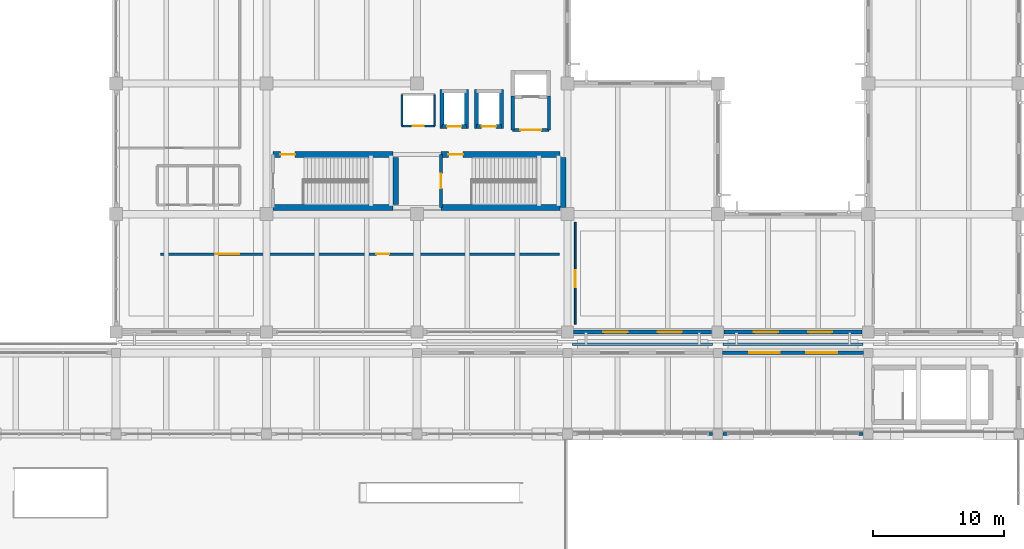
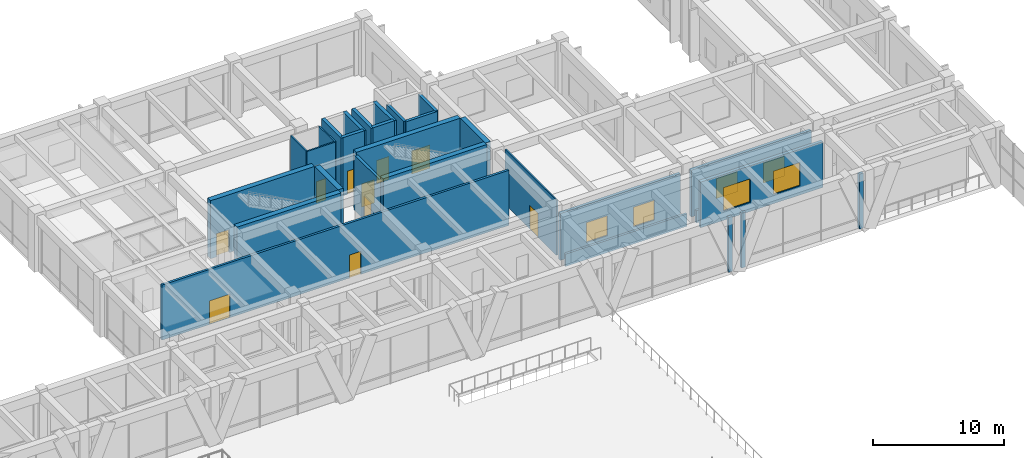
# One storey, part 132 of 148: 29 walls, 10 doors, 6 windows, 16 openings.
"""IFC4 building model written with IfcOpenShell, lengths in metres."""

from ifc_helpers import new_model, si_unit, direction, frame, frame_2d, origin, place, context, subcontext, project, spatial, rectangle, extrude, material, layer, layer_set, type_object, element, fill, save


model = new_model("IFC4")

# Units and contexts
model_context = context("Model", 3, precision=1e-05, world=origin(), true_north=direction((0.0, 1.0)))
body_context = subcontext(model_context, "Body", "Model", "MODEL_VIEW")
ifc_project = project(units=[si_unit("LENGTHUNIT", "METRE"), si_unit("AREAUNIT", "SQUARE_METRE"), si_unit("VOLUMEUNIT", "CUBIC_METRE"), si_unit("PLANEANGLEUNIT", "RADIAN"), si_unit("MASSUNIT", "GRAM", prefix="KILO")], contexts=[model_context])

# Site, building, storey
site_placement = place(None, origin())
site = spatial("IfcSite", under=ifc_project, at=site_placement, CompositionType="ELEMENT")
building_placement = place(site_placement, origin())
building = spatial("IfcBuilding", under=site, at=building_placement, Name="Ologun Quay Terminus", CompositionType="ELEMENT")
storey_placement = place(building_placement, frame((0.0, 0.0, 8.39990234375)))
storey = spatial("IfcBuildingStorey", under=building, at=storey_placement, Name="L02", CompositionType="ELEMENT", Elevation=8.39990234375)

# Wall, opening, door
ifc_material_1 = material(Name="Glass", Category="glass")
ifc_layer_1 = layer(ifc_material_1, 0.125)
ifc_layer_set_1 = layer_set([ifc_layer_1], Name="Glass")
wall_type_1 = type_object("IfcWallType", Name="Control Room Observation Glazed Partition 125", PredefinedType="MOVABLE", material=ifc_layer_set_1)
wall_1_placement = place(storey_placement, frame((150.10009765625, 86.39990234375, 0.0), z_axis=(0.0, 0.0, 1.0), x_axis=(0.0, 1.0, 0.0)))
wall_1 = element("IfcWall", 1, at=wall_1_placement, inside=storey, type_object=wall_type_1, Name="PW-12 Partition L02-SCADA-W", PredefinedType="MOVABLE", context=body_context, shape_type="SweptSolid", body=[
    extrude(rectangle(XDim=7.800048828125, YDim=0.125, at=frame_2d((3.89990234375, 0.0))), origin(), (0.0, 0.0, 1.0), 5.1201171875),
])
opening_1_placement = place(wall_1_placement, frame((2.800048828125, 0.0, 0.0)))
opening_1 = element("IfcOpeningElement", 2, at=opening_1_placement, cuts=wall_1, Name="Opening ID-321", PredefinedType="OPENING", context=body_context, shape_type="SweptSolid", body=[
    extrude(rectangle(XDim=1.300048828125, YDim=2.199951171875, at=frame_2d((0.64990234375, 1.10009765625))), frame((0.0, 0.072509765625, 0.0), z_axis=(0.0, -1.0, 0.0), x_axis=(1.0, 0.0, 0.0)), (0.0, 0.0, 1.0), 0.14501953125),
])
ifc_material_2 = material(Name="Steel S355", Category="steel")
door_type_1 = type_object("IfcDoorType", Name="Traffic Control Security Door 1300x2200", OperationType="SINGLE_SWING_LEFT", PredefinedType="DOOR", material=ifc_material_2)
door_1_placement = place(opening_1_placement, origin())
door_1 = element("IfcDoor", 3, at=door_1_placement, inside=storey, type_object=door_type_1, Name="ID-09 Door ID-321", OperationType="SINGLE_SWING_LEFT", OverallHeight=2.199951171875, OverallWidth=1.300048828125, PredefinedType="DOOR", context=body_context, shape_type="SweptSolid", body=[
    extrude(rectangle(XDim=1.300048828125, YDim=2.199951171875, at=frame_2d((0.64990234375, 1.10009765625))), frame((0.0, 0.02490234375, 0.0), z_axis=(0.0, -1.0, 0.0), x_axis=(1.0, 0.0, 0.0)), (0.0, 0.0, 1.0), 0.050048828125),
])
fill(opening_1, door_1)

# Wall, openings, doors
ifc_material_3 = material(Name="Concrete C40/50", Category="concrete")
ifc_layer_2 = layer(ifc_material_3, 0.199951171875)
ifc_layer_set_2 = layer_set([ifc_layer_2], Name="Concrete C40/50")
wall_type_2 = type_object("IfcWallType", Name="Corridor Fire-Rated Partition 200", PredefinedType="PARTITIONING", material=ifc_layer_set_2)
wall_2_placement = place(storey_placement, frame((118.39990234375, 91.75, 0.0), z_axis=(0.0, 0.0, 1.0), x_axis=(1.0, 0.0, 0.0)))
wall_2 = element("IfcWall", 4, at=wall_2_placement, inside=storey, type_object=wall_type_2, Name="PW-02 Partition ECor-S", PredefinedType="PARTITIONING", context=body_context, shape_type="SweptSolid", body=[
    extrude(rectangle(XDim=30.5, YDim=0.199951171875, at=frame_2d((15.25, 0.0))), origin(), (0.0, 0.0, 1.0), 5.1201171875),
])
opening_2_placement = place(wall_2_placement, frame((4.199951171875, 0.0, 0.0)))
opening_2 = element("IfcOpeningElement", 5, at=opening_2_placement, cuts=wall_2, Name="Opening ID-196", PredefinedType="OPENING", context=body_context, shape_type="SweptSolid", body=[
    extrude(rectangle(XDim=1.800048828125, YDim=2.199951171875, at=frame_2d((0.89990234375, 1.10009765625))), frame((0.0, 0.10986328125, 0.0), z_axis=(0.0, -1.0, 0.0), x_axis=(1.0, 0.0, 0.0)), (0.0, 0.0, 1.0), 0.219970703125),
])
opening_3_placement = place(wall_2_placement, frame((16.5, 0.0, 0.0)))
opening_3 = element("IfcOpeningElement", 6, at=opening_3_placement, cuts=wall_2, Name="Opening ID-197", PredefinedType="OPENING", context=body_context, shape_type="SweptSolid", body=[
    extrude(rectangle(XDim=0.97998046875, YDim=2.14990234375, at=frame_2d((0.489990234375, 1.074951171875))), frame((0.0, 0.10986328125, 0.0), z_axis=(0.0, -1.0, 0.0), x_axis=(1.0, 0.0, 0.0)), (0.0, 0.0, 1.0), 0.219970703125),
])
ifc_material_4 = material(Name="Steel S355", Category="steel")
door_type_2 = type_object("IfcDoorType", Name="Corridor Compartment Pair 1800x2200", OperationType="DOUBLE_DOOR_SINGLE_SWING", PredefinedType="DOOR", material=ifc_material_4)
door_2_placement = place(opening_2_placement, origin())
door_2 = element("IfcDoor", 7, at=door_2_placement, inside=storey, type_object=door_type_2, Name="FD-03 Door ID-196", OperationType="DOUBLE_DOOR_SINGLE_SWING", OverallHeight=2.199951171875, OverallWidth=1.800048828125, PredefinedType="DOOR", context=body_context, shape_type="SweptSolid", body=[
    extrude(rectangle(XDim=1.800048828125, YDim=2.199951171875, at=frame_2d((0.89990234375, 1.10009765625))), frame((0.0, 0.02490234375, 0.0), z_axis=(0.0, -1.0, 0.0), x_axis=(1.0, 0.0, 0.0)), (0.0, 0.0, 1.0), 0.050048828125),
])
fill(opening_2, door_2)
ifc_material_5 = material(Name="Timber Hardwood", Category="wood")
door_type_3 = type_object("IfcDoorType", Name="Operations Room Acoustic Leaf 980x2150", OperationType="SINGLE_SWING_LEFT", PredefinedType="DOOR", material=ifc_material_5)
door_3_placement = place(opening_3_placement, origin())
door_3 = element("IfcDoor", 8, at=door_3_placement, inside=storey, type_object=door_type_3, Name="ID-01 Door ID-197", OperationType="SINGLE_SWING_LEFT", OverallHeight=2.14990234375, OverallWidth=0.97998046875, PredefinedType="DOOR", context=body_context, shape_type="SweptSolid", body=[
    extrude(rectangle(XDim=0.97998046875, YDim=2.14990234375, at=frame_2d((0.489990234375, 1.074951171875))), frame((0.0, 0.02490234375, 0.0), z_axis=(0.0, -1.0, 0.0), x_axis=(1.0, 0.0, 0.0)), (0.0, 0.0, 1.0), 0.050048828125),
])
fill(opening_3, door_3)

# Wall
ifc_material_6 = material(Name="Concrete C45/55", Category="concrete")
ifc_layer_3 = layer(ifc_material_6, 0.449951171875)
ifc_layer_set_3 = layer_set([ifc_layer_3], Name="Concrete C45/55")
wall_type_3 = type_object("IfcWallType", Name="Coupled Wing Primary Core Shear Wall 450", PredefinedType="SHEAR", material=ifc_layer_set_3)
wall_3_placement = place(storey_placement, frame((127.0, 95.324951171875, 0.0), z_axis=(0.0, 0.0, 1.0), x_axis=(1.0, 0.0, 0.0)))
element("IfcWall", 9, at=wall_3_placement, inside=storey, type_object=wall_type_3, Name="EC1 Core South Shear Wall L02", PredefinedType="SHEAR", context=body_context, shape_type="SweptSolid", body=[
    extrude(rectangle(XDim=9.14990234375, YDim=0.449951171875, at=frame_2d((4.574951171875, 0.0))), origin(), (0.0, 0.0, 1.0), 5.400146484375),
])

# Wall, opening, door
wall_4_placement = place(storey_placement, frame((127.0, 99.375, 0.0), z_axis=(0.0, 0.0, 1.0), x_axis=(1.0, 0.0, 0.0)))
wall_4 = element("IfcWall", 10, at=wall_4_placement, inside=storey, type_object=wall_type_3, Name="EC1 Core North Shear Wall L02", PredefinedType="SHEAR", context=body_context, shape_type="SweptSolid", body=[
    extrude(rectangle(XDim=9.14990234375, YDim=0.449951171875, at=frame_2d((4.574951171875, 0.0))), origin(), (0.0, 0.0, 1.0), 5.400146484375),
])
opening_4_placement = place(wall_4_placement, frame((0.550048828125, 0.0, 0.0)))
opening_4 = element("IfcOpeningElement", 11, at=opening_4_placement, cuts=wall_4, Name="Opening ID-188", PredefinedType="OPENING", context=body_context, shape_type="SweptSolid", body=[
    extrude(rectangle(XDim=1.1298828125, YDim=2.14990234375, at=frame_2d((0.56494140625, 1.074951171875))), frame((0.0, 0.23486328125, 0.0), z_axis=(0.0, -1.0, 0.0), x_axis=(1.0, 0.0, 0.0)), (0.0, 0.0, 1.0), 0.469970703125),
])
ifc_material_7 = material(Name="Steel S355", Category="steel")
door_type_4 = type_object("IfcDoorType", Name="Stairwell Fire Escape Door 1130x2150", OperationType="SINGLE_SWING_LEFT", PredefinedType="DOOR", material=ifc_material_7)
door_4_placement = place(opening_4_placement, frame((0.56494140625, 0.0, 0.0), z_axis=(0.0, 0.0, 1.0), x_axis=(-1.0, 0.0, 0.0)))
door_4 = element("IfcDoor", 12, at=door_4_placement, inside=storey, type_object=door_type_4, Name="FD-01 Door ID-188", OperationType="SINGLE_SWING_LEFT", OverallHeight=2.14990234375, OverallWidth=1.1298828125, PredefinedType="DOOR", context=body_context, shape_type="SweptSolid", body=[
    extrude(rectangle(XDim=1.1298828125, YDim=2.14990234375, at=frame_2d((0.0, 1.074951171875))), frame((0.0, 0.02490234375, 0.0), z_axis=(0.0, -1.0, 0.0), x_axis=(1.0, 0.0, 0.0)), (0.0, 0.0, 1.0), 0.050048828125),
])
fill(opening_4, door_4)

# Walls
wall_5_placement = place(storey_placement, frame((136.375, 95.550048828125, 0.0), z_axis=(0.0, 0.0, 1.0), x_axis=(0.0, 1.0, 0.0)))
element("IfcWall", 13, at=wall_5_placement, inside=storey, type_object=wall_type_3, Name="EC1 Core East Shear Wall L02", PredefinedType="SHEAR", context=body_context, shape_type="SweptSolid", body=[
    extrude(rectangle(XDim=3.599853515625, YDim=0.449951171875, at=frame_2d((1.7998046875, 0.0))), origin(), (0.0, 0.0, 1.0), 5.400146484375),
])
wall_6_placement = place(storey_placement, frame((139.85009765625, 95.324951171875, 0.0), z_axis=(0.0, 0.0, 1.0), x_axis=(1.0, 0.0, 0.0)))
element("IfcWall", 14, at=wall_6_placement, inside=storey, type_object=wall_type_3, Name="EC2 Core South Shear Wall L02", PredefinedType="SHEAR", context=body_context, shape_type="SweptSolid", body=[
    extrude(rectangle(XDim=9.099853515625, YDim=0.449951171875, at=frame_2d((4.5498046875, 0.0))), origin(), (0.0, 0.0, 1.0), 5.400146484375),
])

# Wall, opening, door
wall_7_placement = place(storey_placement, frame((139.85009765625, 99.375, 0.0), z_axis=(0.0, 0.0, 1.0), x_axis=(1.0, 0.0, 0.0)))
wall_7 = element("IfcWall", 15, at=wall_7_placement, inside=storey, type_object=wall_type_3, Name="EC2 Core North Shear Wall L02", PredefinedType="SHEAR", context=body_context, shape_type="SweptSolid", body=[
    extrude(rectangle(XDim=9.099853515625, YDim=0.449951171875, at=frame_2d((4.5498046875, 0.0))), origin(), (0.0, 0.0, 1.0), 5.400146484375),
])
opening_5_placement = place(wall_7_placement, frame((0.550048828125, 0.0, 0.0)))
opening_5 = element("IfcOpeningElement", 16, at=opening_5_placement, cuts=wall_7, Name="Opening ID-190", PredefinedType="OPENING", context=body_context, shape_type="SweptSolid", body=[
    extrude(rectangle(XDim=1.1298828125, YDim=2.14990234375, at=frame_2d((0.56494140625, 1.074951171875))), frame((0.0, 0.23486328125, 0.0), z_axis=(0.0, -1.0, 0.0), x_axis=(1.0, 0.0, 0.0)), (0.0, 0.0, 1.0), 0.469970703125),
])
door_5_placement = place(opening_5_placement, frame((0.56494140625, 0.0, 0.0), z_axis=(0.0, 0.0, 1.0), x_axis=(-1.0, 0.0, 0.0)))
door_5 = element("IfcDoor", 17, at=door_5_placement, inside=storey, type_object=door_type_4, Name="FD-01 Door ID-190", OperationType="SINGLE_SWING_LEFT", OverallHeight=2.14990234375, OverallWidth=1.1298828125, PredefinedType="DOOR", context=body_context, shape_type="SweptSolid", body=[
    extrude(rectangle(XDim=1.1298828125, YDim=2.14990234375, at=frame_2d((0.0, 1.074951171875))), frame((0.0, 0.02490234375, 0.0), z_axis=(0.0, -1.0, 0.0), x_axis=(1.0, 0.0, 0.0)), (0.0, 0.0, 1.0), 0.050048828125),
])
fill(opening_5, door_5)

# Wall
wall_8_placement = place(storey_placement, frame((149.175048828125, 95.320068359375, 0.0), z_axis=(0.0, 0.0, 1.0), x_axis=(0.0, 1.0, 0.0)))
element("IfcWall", 18, at=wall_8_placement, inside=storey, type_object=wall_type_3, Name="EC2 Core East Shear Wall L02", PredefinedType="SHEAR", context=body_context, shape_type="SweptSolid", body=[
    extrude(rectangle(XDim=3.829833984375, YDim=0.449951171875, at=frame_2d((1.9150390625, 0.0))), origin(), (0.0, 0.0, 1.0), 5.400146484375),
])

# Wall, openings, windows
ifc_material_8 = material(Name="Concrete C40/50", Category="concrete")
ifc_layer_4 = layer(ifc_material_8, 0.280029296875)
ifc_layer_set_4 = layer_set([ifc_layer_4], Name="Concrete C40/50")
wall_type_4 = type_object("IfcWallType", Name="Courtyard Wing Spandrel Concrete Wall 280", PredefinedType="SOLIDWALL", material=ifc_layer_set_4)
wall_9_placement = place(storey_placement, frame((161.3701171875, 84.199951171875, 0.0), z_axis=(0.0, 0.0, 1.0), x_axis=(1.0, 0.0, 0.0)))
wall_9 = element("IfcWall", 19, at=wall_9_placement, inside=storey, type_object=wall_type_4, Name="EW-02 Facade Wall WEW-NGW-L02-15", PredefinedType="SOLIDWALL", context=body_context, shape_type="SweptSolid", body=[
    extrude(rectangle(XDim=10.759765625, YDim=0.280029296875, at=frame_2d((5.3798828125, 0.0))), origin(), (0.0, 0.0, 1.0), 4.25),
])
opening_6_placement = place(wall_9_placement, frame((2.01318359375, 0.0, 0.85009765625)))
opening_6 = element("IfcOpeningElement", 20, at=opening_6_placement, cuts=wall_9, Name="Opening WN-132", PredefinedType="OPENING", context=body_context, shape_type="SweptSolid", body=[
    extrude(rectangle(XDim=2.360107421875, YDim=2.179931640625, at=frame_2d((1.18017578125, 1.08984375))), frame((0.0, 0.14990234375, 0.0), z_axis=(0.0, -1.0, 0.0), x_axis=(1.0, 0.0, 0.0)), (0.0, 0.0, 1.0), 0.300048828125),
])
opening_7_placement = place(wall_9_placement, frame((6.38671875, 0.0, 0.85009765625)))
opening_7 = element("IfcOpeningElement", 21, at=opening_7_placement, cuts=wall_9, Name="Opening WN-133", PredefinedType="OPENING", context=body_context, shape_type="SweptSolid", body=[
    extrude(rectangle(XDim=2.360107421875, YDim=2.179931640625, at=frame_2d((1.18017578125, 1.08984375))), frame((0.0, 0.14990234375, 0.0), z_axis=(0.0, -1.0, 0.0), x_axis=(1.0, 0.0, 0.0)), (0.0, 0.0, 1.0), 0.300048828125),
])
ifc_material_9 = material(Name="Glass", Category="glass")
window_type_1 = type_object("IfcWindowType", Name="Concourse East Gallery Window 2360x2180", PartitioningType="SINGLE_PANEL", PredefinedType="WINDOW", material=ifc_material_9)
window_1_placement = place(opening_6_placement, origin())
window_1 = element("IfcWindow", 22, at=window_1_placement, inside=storey, type_object=window_type_1, Name="W-43 Window WN-132", OverallHeight=2.179931640625, OverallWidth=2.360107421875, PartitioningType="SINGLE_PANEL", PredefinedType="WINDOW", context=body_context, shape_type="SweptSolid", body=[
    extrude(rectangle(XDim=2.360107421875, YDim=2.179931640625, at=frame_2d((1.18017578125, 1.08984375))), frame((0.0, 0.030029296875, 0.0), z_axis=(0.0, -1.0, 0.0), x_axis=(1.0, 0.0, 0.0)), (0.0, 0.0, 1.0), 0.06005859375),
])
fill(opening_6, window_1)
window_2_placement = place(opening_7_placement, origin())
window_2 = element("IfcWindow", 23, at=window_2_placement, inside=storey, type_object=window_type_1, Name="W-43 Window WN-133", OverallHeight=2.179931640625, OverallWidth=2.360107421875, PartitioningType="SINGLE_PANEL", PredefinedType="WINDOW", context=body_context, shape_type="SweptSolid", body=[
    extrude(rectangle(XDim=2.360107421875, YDim=2.179931640625, at=frame_2d((1.18017578125, 1.08984375))), frame((0.0, 0.030029296875, 0.0), z_axis=(0.0, -1.0, 0.0), x_axis=(1.0, 0.0, 0.0)), (0.0, 0.0, 1.0), 0.06005859375),
])
fill(opening_7, window_2)

wall_10_placement = place(storey_placement, frame((149.969970703125, 85.800048828125, 0.0), z_axis=(0.0, 0.0, 1.0), x_axis=(1.0, 0.0, 0.0)))
wall_10 = element("IfcWall", 24, at=wall_10_placement, inside=storey, type_object=wall_type_4, Name="EW-02 Facade Wall WEW-EW-L02-4", PredefinedType="SOLIDWALL", context=body_context, shape_type="SweptSolid", body=[
    extrude(rectangle(XDim=10.56005859375, YDim=0.280029296875, at=frame_2d((5.280029296875, 0.0))), origin(), (0.0, 0.0, 1.0), 4.35009765625),
])
opening_8_placement = place(wall_10_placement, frame((2.28662109375, 0.0, 0.85009765625)))
opening_8 = element("IfcOpeningElement", 25, at=opening_8_placement, cuts=wall_10, Name="Opening WN-388", PredefinedType="OPENING", context=body_context, shape_type="SweptSolid", body=[
    extrude(rectangle(XDim=1.85009765625, YDim=1.85009765625, at=frame_2d((0.925048828125, 0.925048828125))), frame((0.0, 0.14990234375, 0.0), z_axis=(0.0, -1.0, 0.0), x_axis=(1.0, 0.0, 0.0)), (0.0, 0.0, 1.0), 0.300048828125),
])
opening_9_placement = place(wall_10_placement, frame((6.42333984375, 0.0, 0.85009765625)))
opening_9 = element("IfcOpeningElement", 26, at=opening_9_placement, cuts=wall_10, Name="Opening WN-389", PredefinedType="OPENING", context=body_context, shape_type="SweptSolid", body=[
    extrude(rectangle(XDim=1.85009765625, YDim=1.85009765625, at=frame_2d((0.925048828125, 0.925048828125))), frame((0.0, 0.14990234375, 0.0), z_axis=(0.0, -1.0, 0.0), x_axis=(1.0, 0.0, 0.0)), (0.0, 0.0, 1.0), 0.300048828125),
])
ifc_material_10 = material(Name="Glass", Category="glass")
window_type_2 = type_object("IfcWindowType", Name="SCADA Control Glazed Window 1850x1850", PartitioningType="SINGLE_PANEL", PredefinedType="WINDOW", material=ifc_material_10)
window_3_placement = place(opening_8_placement, origin())
window_3 = element("IfcWindow", 27, at=window_3_placement, inside=storey, type_object=window_type_2, Name="W-20 Window WN-388", OverallHeight=1.85009765625, OverallWidth=1.85009765625, PartitioningType="SINGLE_PANEL", PredefinedType="WINDOW", context=body_context, shape_type="SweptSolid", body=[
    extrude(rectangle(XDim=1.85009765625, YDim=1.85009765625, at=frame_2d((0.925048828125, 0.925048828125))), frame((0.0, 0.030029296875, 0.0), z_axis=(0.0, -1.0, 0.0), x_axis=(1.0, 0.0, 0.0)), (0.0, 0.0, 1.0), 0.06005859375),
])
fill(opening_8, window_3)
window_4_placement = place(opening_9_placement, origin())
window_4 = element("IfcWindow", 28, at=window_4_placement, inside=storey, type_object=window_type_2, Name="W-20 Window WN-389", OverallHeight=1.85009765625, OverallWidth=1.85009765625, PartitioningType="SINGLE_PANEL", PredefinedType="WINDOW", context=body_context, shape_type="SweptSolid", body=[
    extrude(rectangle(XDim=1.85009765625, YDim=1.85009765625, at=frame_2d((0.925048828125, 0.925048828125))), frame((0.0, 0.030029296875, 0.0), z_axis=(0.0, -1.0, 0.0), x_axis=(1.0, 0.0, 0.0)), (0.0, 0.0, 1.0), 0.06005859375),
])
fill(opening_9, window_4)

wall_11_placement = place(storey_placement, frame((161.469970703125, 85.800048828125, 0.0), z_axis=(0.0, 0.0, 1.0), x_axis=(1.0, 0.0, 0.0)))
wall_11 = element("IfcWall", 29, at=wall_11_placement, inside=storey, type_object=wall_type_4, Name="EW-02 Facade Wall WEW-EW-L02-5", PredefinedType="SOLIDWALL", context=body_context, shape_type="SweptSolid", body=[
    extrude(rectangle(XDim=10.56005859375, YDim=0.280029296875, at=frame_2d((5.280029296875, 0.0))), origin(), (0.0, 0.0, 1.0), 4.35009765625),
])
opening_10_placement = place(wall_11_placement, frame((2.28662109375, 0.0, 0.85009765625)))
opening_10 = element("IfcOpeningElement", 30, at=opening_10_placement, cuts=wall_11, Name="Opening WN-390", PredefinedType="OPENING", context=body_context, shape_type="SweptSolid", body=[
    extrude(rectangle(XDim=1.85009765625, YDim=1.85009765625, at=frame_2d((0.925048828125, 0.925048828125))), frame((0.0, 0.14990234375, 0.0), z_axis=(0.0, -1.0, 0.0), x_axis=(1.0, 0.0, 0.0)), (0.0, 0.0, 1.0), 0.300048828125),
])
opening_11_placement = place(wall_11_placement, frame((6.42333984375, 0.0, 0.85009765625)))
opening_11 = element("IfcOpeningElement", 31, at=opening_11_placement, cuts=wall_11, Name="Opening WN-391", PredefinedType="OPENING", context=body_context, shape_type="SweptSolid", body=[
    extrude(rectangle(XDim=1.85009765625, YDim=1.85009765625, at=frame_2d((0.925048828125, 0.925048828125))), frame((0.0, 0.14990234375, 0.0), z_axis=(0.0, -1.0, 0.0), x_axis=(1.0, 0.0, 0.0)), (0.0, 0.0, 1.0), 0.300048828125),
])
window_5_placement = place(opening_10_placement, origin())
window_5 = element("IfcWindow", 32, at=window_5_placement, inside=storey, type_object=window_type_2, Name="W-20 Window WN-390", OverallHeight=1.85009765625, OverallWidth=1.85009765625, PartitioningType="SINGLE_PANEL", PredefinedType="WINDOW", context=body_context, shape_type="SweptSolid", body=[
    extrude(rectangle(XDim=1.85009765625, YDim=1.85009765625, at=frame_2d((0.925048828125, 0.925048828125))), frame((0.0, 0.030029296875, 0.0), z_axis=(0.0, -1.0, 0.0), x_axis=(1.0, 0.0, 0.0)), (0.0, 0.0, 1.0), 0.06005859375),
])
fill(opening_10, window_5)
window_6_placement = place(opening_11_placement, origin())
window_6 = element("IfcWindow", 33, at=window_6_placement, inside=storey, type_object=window_type_2, Name="W-20 Window WN-391", OverallHeight=1.85009765625, OverallWidth=1.85009765625, PartitioningType="SINGLE_PANEL", PredefinedType="WINDOW", context=body_context, shape_type="SweptSolid", body=[
    extrude(rectangle(XDim=1.85009765625, YDim=1.85009765625, at=frame_2d((0.925048828125, 0.925048828125))), frame((0.0, 0.030029296875, 0.0), z_axis=(0.0, -1.0, 0.0), x_axis=(1.0, 0.0, 0.0)), (0.0, 0.0, 1.0), 0.06005859375),
])
fill(opening_11, window_6)

# Wall, opening, door
ifc_material_11 = material(Name="Concrete C40/50", Category="concrete")
ifc_layer_5 = layer(ifc_material_11, 0.239990234375)
ifc_layer_set_5 = layer_set([ifc_layer_5], Name="Concrete C40/50")
wall_type_5 = type_object("IfcWallType", Name="Fire Compartment Blockwork Wall 240", PredefinedType="SOLIDWALL", material=ifc_layer_set_5)
wall_12_placement = place(storey_placement, frame((139.85009765625, 95.330078125, 0.0), z_axis=(0.0, 0.0, 1.0), x_axis=(0.0, 1.0, 0.0)))
wall_12 = element("IfcWall", 34, at=wall_12_placement, inside=storey, type_object=wall_type_5, Name="PW-01 Partition EStair2-W", PredefinedType="SOLIDWALL", context=body_context, shape_type="SweptSolid", body=[
    extrude(rectangle(XDim=4.0400390625, YDim=0.239990234375, at=frame_2d((2.02001953125, 0.0))), origin(), (0.0, 0.0, 1.0), 5.1201171875),
])
opening_12_placement = place(wall_12_placement, frame((1.449951171875, 0.0, 0.0)))
opening_12 = element("IfcOpeningElement", 35, at=opening_12_placement, cuts=wall_12, Name="Opening ID-189", PredefinedType="OPENING", context=body_context, shape_type="SweptSolid", body=[
    extrude(rectangle(XDim=1.1298828125, YDim=2.14990234375, at=frame_2d((0.56494140625, 1.074951171875))), frame((0.0, 0.1298828125, 0.0), z_axis=(0.0, -1.0, 0.0), x_axis=(1.0, 0.0, 0.0)), (0.0, 0.0, 1.0), 0.260009765625),
])
door_6_placement = place(opening_12_placement, frame((0.56494140625, 0.0, 0.0), z_axis=(0.0, 0.0, 1.0), x_axis=(-1.0, 0.0, 0.0)))
door_6 = element("IfcDoor", 36, at=door_6_placement, inside=storey, type_object=door_type_4, Name="FD-01 Door ID-189", OperationType="SINGLE_SWING_LEFT", OverallHeight=2.14990234375, OverallWidth=1.1298828125, PredefinedType="DOOR", context=body_context, shape_type="SweptSolid", body=[
    extrude(rectangle(XDim=1.1298828125, YDim=2.14990234375, at=frame_2d((0.0, 1.074951171875))), frame((0.0, 0.02490234375, 0.0), z_axis=(0.0, -1.0, 0.0), x_axis=(1.0, 0.0, 0.0)), (0.0, 0.0, 1.0), 0.050048828125),
])
fill(opening_12, door_6)

wall_13_placement = place(storey_placement, frame((145.320068359375, 101.25, 0.0), z_axis=(0.0, 0.0, 1.0), x_axis=(1.0, 0.0, 0.0)))
wall_13 = element("IfcWall", 37, at=wall_13_placement, inside=storey, type_object=wall_type_5, Name="PW-01 Partition EFFL-S", PredefinedType="SOLIDWALL", context=body_context, shape_type="SweptSolid", body=[
    extrude(rectangle(XDim=2.760009765625, YDim=0.239990234375, at=frame_2d((1.3798828125, 0.0))), origin(), (0.0, 0.0, 1.0), 5.1201171875),
])
opening_13_placement = place(wall_13_placement, frame((0.580078125, 0.0, 0.0)))
opening_13 = element("IfcOpeningElement", 38, at=opening_13_placement, cuts=wall_13, Name="Opening ID-191", PredefinedType="OPENING", context=body_context, shape_type="SweptSolid", body=[
    extrude(rectangle(XDim=1.60009765625, YDim=2.14990234375, at=frame_2d((0.800048828125, 1.074951171875))), frame((0.0, 0.1298828125, 0.0), z_axis=(0.0, -1.0, 0.0), x_axis=(1.0, 0.0, 0.0)), (0.0, 0.0, 1.0), 0.260009765625),
])
ifc_material_12 = material(Name="Steel S355", Category="steel")
door_type_5 = type_object("IfcDoorType", Name="Firefighting Lobby Double Smoke Door 1600x2150", OperationType="DOUBLE_DOOR_SINGLE_SWING", PredefinedType="DOOR", material=ifc_material_12)
door_7_placement = place(opening_13_placement, origin())
door_7 = element("IfcDoor", 39, at=door_7_placement, inside=storey, type_object=door_type_5, Name="FD-02 Door ID-191", OperationType="DOUBLE_DOOR_SINGLE_SWING", OverallHeight=2.14990234375, OverallWidth=1.60009765625, PredefinedType="DOOR", context=body_context, shape_type="SweptSolid", body=[
    extrude(rectangle(XDim=1.60009765625, YDim=2.14990234375, at=frame_2d((0.800048828125, 1.074951171875))), frame((0.0, 0.02490234375, 0.0), z_axis=(0.0, -1.0, 0.0), x_axis=(1.0, 0.0, 0.0)), (0.0, 0.0, 1.0), 0.050048828125),
])
fill(opening_13, door_7)

# Walls
for number, where, z_axis, x_axis, name in (
    (40, (145.320068359375, 101.25, 0.0), (0.0, 0.0, 1.0), (0.0, 1.0, 0.0), "PW-01 Partition EFFL-W"),
    (41, (148.080078125, 101.25, 0.0), (0.0, 0.0, 1.0), (0.0, 1.0, 0.0), "PW-01 Partition EFFL-E"),
):
    element("IfcWall", number, at=place(storey_placement, frame(where, z_axis=z_axis, x_axis=x_axis)), inside=storey, type_object=wall_type_5, Name=name, PredefinedType="SOLIDWALL", context=body_context, shape_type="SweptSolid", body=[
        extrude(rectangle(XDim=2.60009765625, YDim=0.239990234375, at=frame_2d((1.300048828125, 0.0))), origin(), (0.0, 0.0, 1.0), 5.1201171875),
    ])

# Wall, opening, door
ifc_material_13 = material(Name="Concrete C40/50", Category="concrete")
ifc_layer_6 = layer(ifc_material_13, 0.300048828125)
ifc_layer_set_6 = layer_set([ifc_layer_6], Name="Concrete C40/50")
wall_type_6 = type_object("IfcWallType", Name="Lift Shaft Structural Shear Wall 300", PredefinedType="SHEAR", material=ifc_layer_set_6)
wall_14_placement = place(storey_placement, frame((139.89990234375, 101.5, 0.0), z_axis=(0.0, 0.0, 1.0), x_axis=(1.0, 0.0, 0.0)))
wall_14 = element("IfcWall", 42, at=wall_14_placement, inside=storey, type_object=wall_type_6, Name="Lift PL-E1 Shaft Wall S L02", PredefinedType="SHEAR", context=body_context, shape_type="SweptSolid", body=[
    extrude(rectangle(XDim=1.900146484375, YDim=0.300048828125, at=frame_2d((0.9501953125, 0.0))), origin(), (0.0, 0.0, 1.0), 5.400146484375),
])
opening_14_placement = place(wall_14_placement, frame((0.39990234375, 0.0, 0.0)))
opening_14 = element("IfcOpeningElement", 43, at=opening_14_placement, cuts=wall_14, Name="Opening ID-034", PredefinedType="OPENING", context=body_context, shape_type="SweptSolid", body=[
    extrude(rectangle(XDim=1.10009765625, YDim=2.14990234375, at=frame_2d((0.550048828125, 1.074951171875))), frame((0.0, 0.16015625, 0.0), z_axis=(0.0, -1.0, 0.0), x_axis=(1.0, 0.0, 0.0)), (0.0, 0.0, 1.0), 0.320068359375),
])
ifc_material_14 = material(Name="Steel S355", Category="steel")
door_type_6 = type_object("IfcDoorType", Name="Lift Landing Sliding Door 1100x2150", OperationType="SLIDING_TO_LEFT", PredefinedType="DOOR", material=ifc_material_14)
door_8_placement = place(opening_14_placement, origin())
door_8 = element("IfcDoor", 44, at=door_8_placement, inside=storey, type_object=door_type_6, Name="LD-01 Door ID-034", OperationType="SLIDING_TO_LEFT", OverallHeight=2.14990234375, OverallWidth=1.10009765625, PredefinedType="DOOR", context=body_context, shape_type="SweptSolid", body=[
    extrude(rectangle(XDim=1.10009765625, YDim=2.14990234375, at=frame_2d((0.550048828125, 1.074951171875))), frame((0.0, 0.02490234375, 0.0), z_axis=(0.0, -1.0, 0.0), x_axis=(1.0, 0.0, 0.0)), (0.0, 0.0, 1.0), 0.050048828125),
])
fill(opening_14, door_8)

# Walls
for number, where, z_axis, x_axis, name in (
    (45, (139.89990234375, 101.35009765625, 0.0), (0.0, 0.0, 1.0), (0.0, 1.0, 0.0), "Lift PL-E1 Shaft Wall W L02"),
    (46, (141.800048828125, 101.35009765625, 0.0), (0.0, 0.0, 1.0), (0.0, 1.0, 0.0), "Lift PL-E1 Shaft Wall E L02"),
):
    element("IfcWall", number, at=place(storey_placement, frame(where, z_axis=z_axis, x_axis=x_axis)), inside=storey, type_object=wall_type_6, Name=name, PredefinedType="SHEAR", context=body_context, shape_type="SweptSolid", body=[
        extrude(rectangle(XDim=3.0, YDim=0.300048828125, at=frame_2d((1.5, 0.0))), origin(), (0.0, 0.0, 1.0), 5.400146484375),
    ])

# Wall, opening, door
wall_15_placement = place(storey_placement, frame((142.550048828125, 101.5, 0.0), z_axis=(0.0, 0.0, 1.0), x_axis=(1.0, 0.0, 0.0)))
wall_15 = element("IfcWall", 47, at=wall_15_placement, inside=storey, type_object=wall_type_6, Name="Lift PL-E2 Shaft Wall S L02", PredefinedType="SHEAR", context=body_context, shape_type="SweptSolid", body=[
    extrude(rectangle(XDim=1.89990234375, YDim=0.300048828125, at=frame_2d((0.949951171875, 0.0))), origin(), (0.0, 0.0, 1.0), 5.400146484375),
])
opening_15_placement = place(wall_15_placement, frame((0.39990234375, 0.0, 0.0)))
opening_15 = element("IfcOpeningElement", 48, at=opening_15_placement, cuts=wall_15, Name="Opening ID-042", PredefinedType="OPENING", context=body_context, shape_type="SweptSolid", body=[
    extrude(rectangle(XDim=1.10009765625, YDim=2.14990234375, at=frame_2d((0.550048828125, 1.074951171875))), frame((0.0, 0.16015625, 0.0), z_axis=(0.0, -1.0, 0.0), x_axis=(1.0, 0.0, 0.0)), (0.0, 0.0, 1.0), 0.320068359375),
])
door_9_placement = place(opening_15_placement, origin())
door_9 = element("IfcDoor", 49, at=door_9_placement, inside=storey, type_object=door_type_6, Name="LD-01 Door ID-042", OperationType="SLIDING_TO_LEFT", OverallHeight=2.14990234375, OverallWidth=1.10009765625, PredefinedType="DOOR", context=body_context, shape_type="SweptSolid", body=[
    extrude(rectangle(XDim=1.10009765625, YDim=2.14990234375, at=frame_2d((0.550048828125, 1.074951171875))), frame((0.0, 0.02490234375, 0.0), z_axis=(0.0, -1.0, 0.0), x_axis=(1.0, 0.0, 0.0)), (0.0, 0.0, 1.0), 0.050048828125),
])
fill(opening_15, door_9)

# Walls
for number, where, z_axis, x_axis, name in (
    (50, (142.550048828125, 101.35009765625, 0.0), (0.0, 0.0, 1.0), (0.0, 1.0, 0.0), "Lift PL-E2 Shaft Wall W L02"),
    (51, (144.449951171875, 101.35009765625, 0.0), (0.0, 0.0, 1.0), (0.0, 1.0, 0.0), "Lift PL-E2 Shaft Wall E L02"),
):
    element("IfcWall", number, at=place(storey_placement, frame(where, z_axis=z_axis, x_axis=x_axis)), inside=storey, type_object=wall_type_6, Name=name, PredefinedType="SHEAR", context=body_context, shape_type="SweptSolid", body=[
        extrude(rectangle(XDim=3.0, YDim=0.300048828125, at=frame_2d((1.5, 0.0))), origin(), (0.0, 0.0, 1.0), 5.400146484375),
    ])
ifc_material_15 = material(Name="Concrete C40/50", Category="concrete")
ifc_layer_7 = layer(ifc_material_15, 0.18994140625)
ifc_layer_set_7 = layer_set([ifc_layer_7], Name="Concrete C40/50")
wall_type_7 = type_object("IfcWallType", Name="Movement Joint Weathering Upstand 190", PredefinedType="PARAPET", material=ifc_layer_set_7)
for number, where, z_axis, x_axis, name in (
    (52, (149.89990234375, 84.860107421875, 0.0), (0.0, 0.0, 1.0), (1.0, 0.0, 0.0), "EW-07 Movement Joint Upstand L02-14"),
    (53, (161.39990234375, 84.860107421875, 0.0), (0.0, 0.0, 1.0), (1.0, 0.0, 0.0), "EW-07 Movement Joint Upstand L02-15"),
):
    element("IfcWall", number, at=place(storey_placement, frame(where, z_axis=z_axis, x_axis=x_axis)), inside=storey, type_object=wall_type_7, Name=name, PredefinedType="PARAPET", context=body_context, shape_type="SweptSolid", body=[
        extrude(rectangle(XDim=10.7001953125, YDim=0.18994140625, at=frame_2d((5.35009765625, 0.0))), origin(), (0.0, 0.0, 1.0), 1.150146484375),
    ])

# Wall, opening, door
ifc_material_16 = material(Name="Concrete C40/50", Category="concrete")
ifc_layer_8 = layer(ifc_material_16, 0.1298828125)
ifc_layer_set_8 = layer_set([ifc_layer_8], Name="Concrete C40/50")
wall_type_8 = type_object("IfcWallType", Name="Riser & Service Duct Wall 130", PredefinedType="PLUMBINGWALL", material=ifc_layer_set_8)
wall_16_placement = place(storey_placement, frame((136.85009765625, 101.550048828125, 0.0), z_axis=(0.0, 0.0, 1.0), x_axis=(1.0, 0.0, 0.0)))
wall_16 = element("IfcWall", 54, at=wall_16_placement, inside=storey, type_object=wall_type_8, Name="PW-07 Partition ERiser-S", PredefinedType="PLUMBINGWALL", context=body_context, shape_type="SweptSolid", body=[
    extrude(rectangle(XDim=2.5, YDim=0.1298828125, at=frame_2d((1.25, 0.0))), origin(), (0.0, 0.0, 1.0), 5.1201171875),
])
opening_16_placement = place(wall_16_placement, frame((0.820068359375, 0.0, 0.0)))
opening_16 = element("IfcOpeningElement", 55, at=opening_16_placement, cuts=wall_16, Name="Opening ID-192", PredefinedType="OPENING", context=body_context, shape_type="SweptSolid", body=[
    extrude(rectangle(XDim=0.85009765625, YDim=2.0, at=frame_2d((0.425048828125, 1.0))), frame((0.0, 0.074951171875, 0.0), z_axis=(0.0, -1.0, 0.0), x_axis=(1.0, 0.0, 0.0)), (0.0, 0.0, 1.0), 0.14990234375),
])
ifc_material_17 = material(Name="Steel S355", Category="steel")
door_type_7 = type_object("IfcDoorType", Name="MEP Riser Access Trapdoor 850x2000", OperationType="SINGLE_SWING_LEFT", PredefinedType="TRAPDOOR", material=ifc_material_17)
door_10_placement = place(opening_16_placement, origin())
door_10 = element("IfcDoor", 56, at=door_10_placement, inside=storey, type_object=door_type_7, Name="RD-01 Door ID-192", OperationType="SINGLE_SWING_LEFT", OverallHeight=2.0, OverallWidth=0.85009765625, PredefinedType="TRAPDOOR", context=body_context, shape_type="SweptSolid", body=[
    extrude(rectangle(XDim=0.85009765625, YDim=2.0, at=frame_2d((0.425048828125, 1.0))), frame((0.0, 0.02490234375, 0.0), z_axis=(0.0, -1.0, 0.0), x_axis=(1.0, 0.0, 0.0)), (0.0, 0.0, 1.0), 0.050048828125),
])
fill(opening_16, door_10)

# Walls
for number, where, z_axis, x_axis, name in (
    (57, (136.85009765625, 101.550048828125, 0.0), (0.0, 0.0, 1.0), (0.0, 1.0, 0.0), "PW-07 Partition ERiser-W"),
    (58, (139.35009765625, 101.550048828125, 0.0), (0.0, 0.0, 1.0), (0.0, 1.0, 0.0), "PW-07 Partition ERiser-E"),
):
    element("IfcWall", number, at=place(storey_placement, frame(where, z_axis=z_axis, x_axis=x_axis)), inside=storey, type_object=wall_type_8, Name=name, PredefinedType="PLUMBINGWALL", context=body_context, shape_type="SweptSolid", body=[
        extrude(rectangle(XDim=2.39990234375, YDim=0.1298828125, at=frame_2d((1.199951171875, 0.0))), origin(), (0.0, 0.0, 1.0), 5.1201171875),
    ])
ifc_material_18 = material(Name="Concrete C40/50", Category="concrete")
ifc_layer_9 = layer(ifc_material_18, 0.260009765625)
ifc_layer_set_9 = layer_set([ifc_layer_9], Name="Concrete C40/50")
wall_type_9 = type_object("IfcWallType", Name="Train Shed Clerestory Upstand Wall 260", PredefinedType="SOLIDWALL", material=ifc_layer_set_9)
for number, where, z_axis, x_axis, name in (
    (59, (160.2548828125, 78.0, 0.0), (0.0, 0.0, 1.0), (1.0, 0.0, 0.0), "Curtain Wall Jamb Pier CW-L02-071-J2"),
    (60, (161.39501953125, 78.0, 0.0), (0.0, 0.0, 1.0), (1.0, 0.0, 0.0), "Curtain Wall Jamb Pier CW-L02-073-J1"),
    (61, (171.7548828125, 78.0, 0.0), (0.0, 0.0, 1.0), (1.0, 0.0, 0.0), "Curtain Wall Jamb Pier CW-L02-073-J2"),
):
    element("IfcWall", number, at=place(storey_placement, frame(where, z_axis=z_axis, x_axis=x_axis)), inside=storey, type_object=wall_type_9, Name=name, PredefinedType="SOLIDWALL", context=body_context, shape_type="SweptSolid", body=[
        extrude(rectangle(XDim=0.35009765625, YDim=0.260009765625, at=frame_2d((0.175048828125, 0.0))), origin(), (0.0, 0.0, 1.0), 5.10009765625),
    ])

save(model, "model.ifc")
